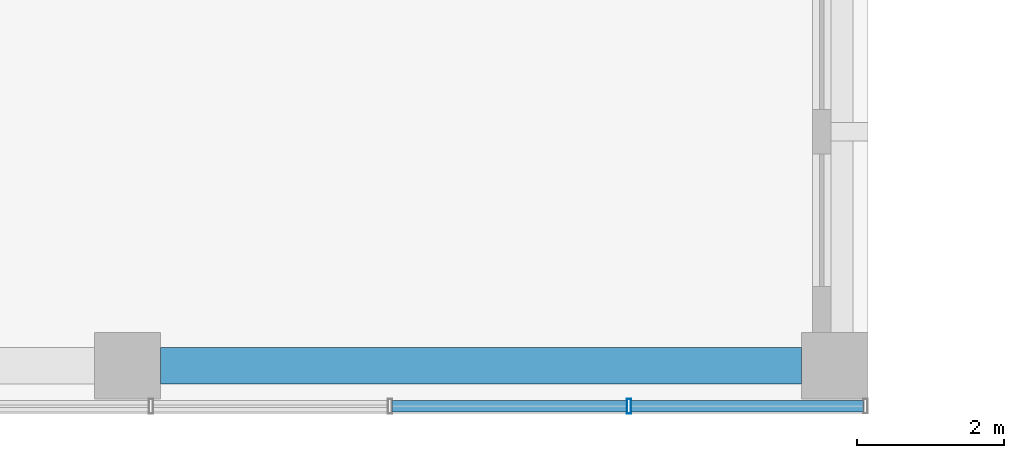
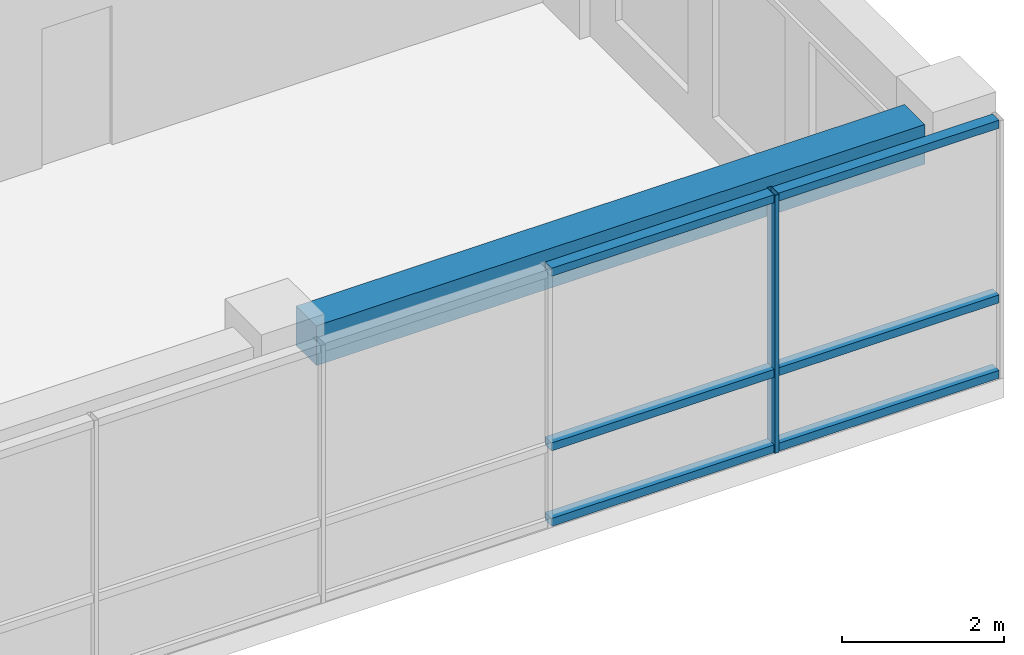
# One storey, part 13 of 38: 7 members, 1 beam, 1 element without a shape of its own.
"""IFC4 building model written with IfcOpenShell, lengths in metres."""

from ifc_helpers import new_model, si_unit, direction, frame, origin, origin_2d, place, context, subcontext, project, spatial, rectangle, hollow_rectangle, extrude, material, layer, layer_set, material_profile, profile_set, type_object, element, aggregate, save


model = new_model("IFC4")

# Units and contexts
model_context = context("Model", 3, precision=1e-05, world=origin(), true_north=direction((0.0, 1.0)))
body_context = subcontext(model_context, "Body", "Model", "MODEL_VIEW")
ifc_project = project(units=[si_unit("LENGTHUNIT", "METRE"), si_unit("AREAUNIT", "SQUARE_METRE"), si_unit("VOLUMEUNIT", "CUBIC_METRE"), si_unit("PLANEANGLEUNIT", "RADIAN"), si_unit("MASSUNIT", "GRAM", prefix="KILO")], contexts=[model_context])

# Site, building, storey
site_placement = place(None, origin())
site = spatial("IfcSite", under=ifc_project, at=site_placement, CompositionType="ELEMENT")
building_placement = place(site_placement, origin())
building = spatial("IfcBuilding", under=site, at=building_placement, Name="Nzadi Deep Aquarium and Research Tower", CompositionType="ELEMENT")
storey_placement = place(building_placement, frame((0.0, 0.0, 65.5)))
storey = spatial("IfcBuildingStorey", under=building, at=storey_placement, Name="L13", CompositionType="ELEMENT", Elevation=65.5)

# Curtain wall, member
ifc_material_1 = material(Name="Aluminium unitised frame", Category="aluminium")
ifc_layer = layer(ifc_material_1, 0.199951171875)
ifc_layer_set = layer_set([ifc_layer], Name="Aluminium unitised frame")
curtain_wall_type = type_object("IfcCurtainWallType", Name="Curtain wall Unitised 200", PredefinedType="NOTDEFINED", material=ifc_layer_set)
curtain_wall_placement = place(storey_placement, origin())
curtain_wall = element("IfcCurtainWall", 1, at=curtain_wall_placement, inside=storey, type_object=curtain_wall_type, Name="Unitised curtain wall blade A south L13", PredefinedType="NOTDEFINED")
ifc_material_2 = material(Name="Aluminium unitised frame", Category="aluminium")
ifc_material_profile_1 = material_profile(ifc_material_2, hollow_rectangle(XDim=0.199951171875, YDim=0.06005859375, WallThickness=0.0048828125, at=origin_2d()))
ifc_profile_set_1 = profile_set([ifc_material_profile_1], Name="Aluminium unitised frame")
member_type_1 = type_object("IfcMemberType", Name="Mullion 60x200 Unitised", PredefinedType="MULLION", material=ifc_profile_set_1)
member_1_placement = place(storey_placement, frame((45.206787109375, -0.10009765625, 0.0), z_axis=(0.0, 0.0, 1.0), x_axis=(0.0, 1.0, 0.0)))
member_1 = element("IfcMember", 2, at=member_1_placement, type_object=member_type_1, Name="CW057 mullion 15", PredefinedType="MULLION", context=body_context, shape_type="SweptSolid", body=[
    extrude(hollow_rectangle(XDim=0.199951171875, YDim=0.06005859375, WallThickness=0.0048828125, at=origin_2d()), origin(), (0.0, 0.0, 1.0), 3.89990234375),
])

# Beam
ifc_material_3 = material(Name="Concrete C35/45", Category="concrete")
ifc_material_profile_2 = material_profile(ifc_material_3, rectangle(XDim=0.5, YDim=0.60009765625, at=origin_2d()))
ifc_profile_set_2 = profile_set([ifc_material_profile_2], Name="Concrete C35/45")
beam_type = type_object("IfcBeamType", Name="RC 500x600", PredefinedType="BEAM", material=ifc_profile_set_2)
beam_placement = place(storey_placement, frame((38.85009765625, 0.449951171875, 3.60009765625), z_axis=(1.0, 0.0, 0.0), x_axis=(0.0, 1.0, 0.0)))
element("IfcBeam", 3, at=beam_placement, inside=storey, type_object=beam_type, Name="B-Z1-L13-L1-5", PredefinedType="BEAM", context=body_context, shape_type="SweptSolid", body=[
    extrude(rectangle(XDim=0.5, YDim=0.60009765625, at=origin_2d()), origin(), (0.0, 0.0, 1.0), 8.699951171875),
])

# Member
ifc_material_4 = material(Name="Aluminium unitised frame", Category="aluminium")
ifc_material_profile_3 = material_profile(ifc_material_4, hollow_rectangle(XDim=0.159912109375, YDim=0.1201171875, WallThickness=0.0048828125, at=origin_2d()))
ifc_profile_set_3 = profile_set([ifc_material_profile_3], Name="Aluminium unitised frame")
member_type_2 = type_object("IfcMemberType", Name="Transom 120x160 Unitised", PredefinedType="MULLION", material=ifc_profile_set_3)
member_2_placement = place(storey_placement, frame((41.993408203125, -0.10009765625, 0.06005859375), z_axis=(1.0, 0.0, 0.0), x_axis=(0.0, 1.0, 0.0)))
member_2 = element("IfcMember", 4, at=member_2_placement, type_object=member_type_2, Name="CW057 transom 14.1", PredefinedType="MULLION", context=body_context, shape_type="SweptSolid", body=[
    extrude(hollow_rectangle(XDim=0.159912109375, YDim=0.1201171875, WallThickness=0.0048828125, at=origin_2d()), origin(), (0.0, 0.0, 1.0), 3.183349609375),
])

member_3_placement = place(storey_placement, frame((41.993408203125, -0.10009765625, 1.199951171875), z_axis=(1.0, 0.0, 0.0), x_axis=(0.0, 1.0, 0.0)))
member_3 = element("IfcMember", 5, at=member_3_placement, type_object=member_type_2, Name="CW057 transom 14.2", PredefinedType="MULLION", context=body_context, shape_type="SweptSolid", body=[
    extrude(hollow_rectangle(XDim=0.159912109375, YDim=0.1201171875, WallThickness=0.0048828125, at=origin_2d()), origin(), (0.0, 0.0, 1.0), 3.183349609375),
])

member_4_placement = place(storey_placement, frame((41.993408203125, -0.10009765625, 3.840087890625), z_axis=(1.0, 0.0, 0.0), x_axis=(0.0, 1.0, 0.0)))
member_4 = element("IfcMember", 6, at=member_4_placement, type_object=member_type_2, Name="CW057 transom 14.3", PredefinedType="MULLION", context=body_context, shape_type="SweptSolid", body=[
    extrude(hollow_rectangle(XDim=0.159912109375, YDim=0.1201171875, WallThickness=0.0048828125, at=origin_2d()), origin(), (0.0, 0.0, 1.0), 3.183349609375),
])

member_5_placement = place(storey_placement, frame((45.236572265625, -0.10009765625, 0.06005859375), z_axis=(1.0, 0.0, 0.0), x_axis=(0.0, 1.0, 0.0)))
member_5 = element("IfcMember", 7, at=member_5_placement, type_object=member_type_2, Name="CW057 transom 15.1", PredefinedType="MULLION", context=body_context, shape_type="SweptSolid", body=[
    extrude(hollow_rectangle(XDim=0.159912109375, YDim=0.1201171875, WallThickness=0.0048828125, at=origin_2d()), origin(), (0.0, 0.0, 1.0), 3.1533203125),
])

member_6_placement = place(storey_placement, frame((45.236572265625, -0.10009765625, 1.199951171875), z_axis=(1.0, 0.0, 0.0), x_axis=(0.0, 1.0, 0.0)))
member_6 = element("IfcMember", 8, at=member_6_placement, type_object=member_type_2, Name="CW057 transom 15.2", PredefinedType="MULLION", context=body_context, shape_type="SweptSolid", body=[
    extrude(hollow_rectangle(XDim=0.159912109375, YDim=0.1201171875, WallThickness=0.0048828125, at=origin_2d()), origin(), (0.0, 0.0, 1.0), 3.1533203125),
])

member_7_placement = place(storey_placement, frame((45.236572265625, -0.10009765625, 3.840087890625), z_axis=(1.0, 0.0, 0.0), x_axis=(0.0, 1.0, 0.0)))
member_7 = element("IfcMember", 9, at=member_7_placement, type_object=member_type_2, Name="CW057 transom 15.3", PredefinedType="MULLION", context=body_context, shape_type="SweptSolid", body=[
    extrude(hollow_rectangle(XDim=0.159912109375, YDim=0.1201171875, WallThickness=0.0048828125, at=origin_2d()), origin(), (0.0, 0.0, 1.0), 3.1533203125),
])

aggregate(curtain_wall, [member_1, member_2, member_3, member_4, member_5, member_6, member_7])

save(model, "model.ifc")
